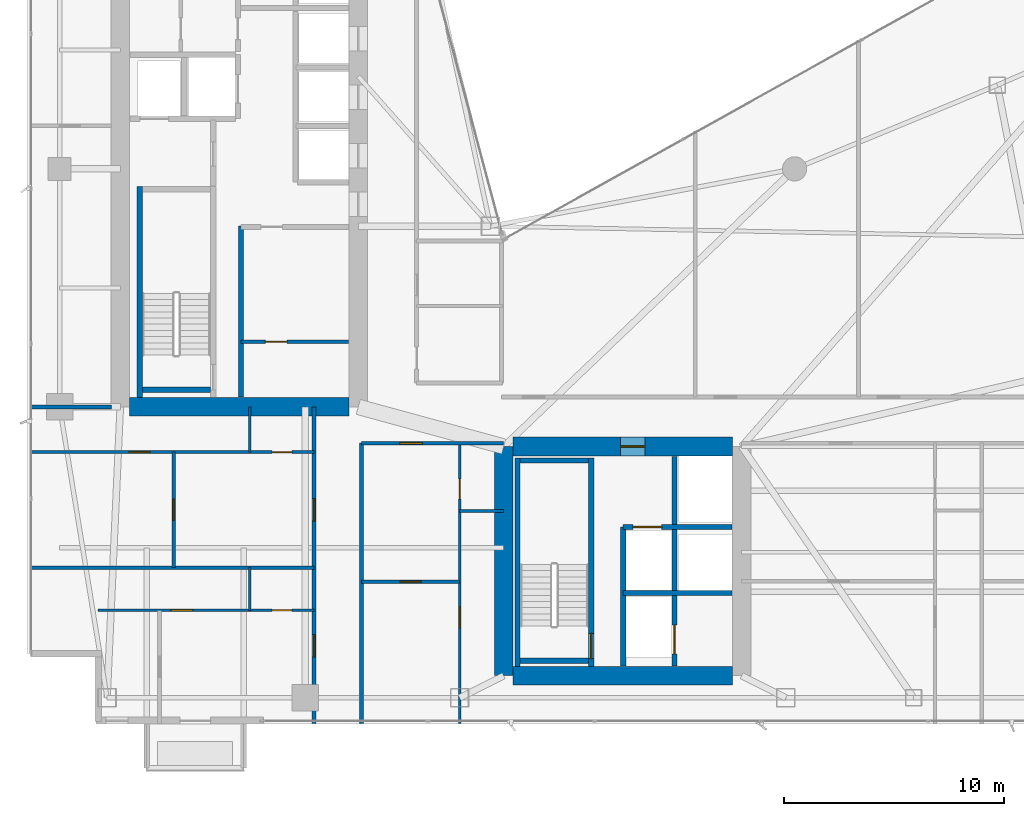
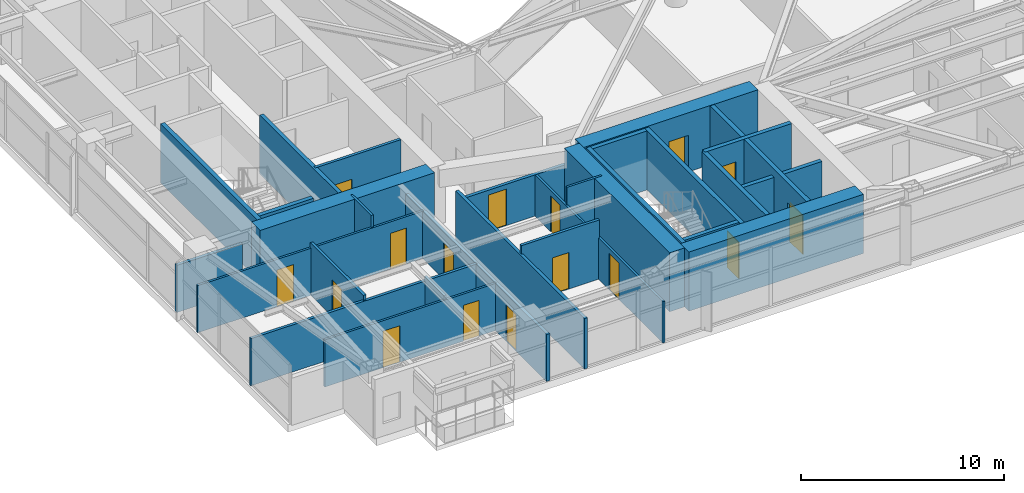
# One storey, part 22 of 28: 29 walls, 16 doors, 16 openings.
"""IFC4 building model written with IfcOpenShell, lengths in metres."""

from ifc_helpers import new_model, si_unit, direction, frame, frame_2d, origin, place, context, subcontext, project, spatial, rectangle, extrude, material, layer, layer_set, type_object, element, fill, save


model = new_model("IFC4")

# Units and contexts
model_context = context("Model", 3, precision=1e-05, world=origin(), true_north=direction((0.0, 1.0)))
body_context = subcontext(model_context, "Body", "Model", "MODEL_VIEW")
ifc_project = project(units=[si_unit("LENGTHUNIT", "METRE"), si_unit("AREAUNIT", "SQUARE_METRE"), si_unit("VOLUMEUNIT", "CUBIC_METRE"), si_unit("PLANEANGLEUNIT", "RADIAN"), si_unit("MASSUNIT", "GRAM", prefix="KILO")], contexts=[model_context])

# Site, building, storey
site_placement = place(None, origin())
site = spatial("IfcSite", under=ifc_project, at=site_placement, CompositionType="ELEMENT")
building_placement = place(site_placement, origin())
building = spatial("IfcBuilding", under=site, at=building_placement, Name="Calvorn Quay Hotel", CompositionType="ELEMENT")
storey_placement = place(building_placement, frame((0.0, 0.0, 97.39990234375)))
storey = spatial("IfcBuildingStorey", under=building, at=storey_placement, Name="L23", CompositionType="ELEMENT", Elevation=97.39990234375)

# Walls
ifc_material_1 = material(Name="Concrete C50", Category="concrete")
ifc_layer_1 = layer(ifc_material_1, 0.85009765625)
ifc_layer_set_1 = layer_set([ifc_layer_1], Name="WL-CORE-850")
wall_type_1 = type_object("IfcWallType", Name="WL-CORE-850", PredefinedType="SHEAR", material=ifc_layer_set_1)
wall_1_placement = place(storey_placement, frame((4.625, 16.800048828125, 0.0), z_axis=(0.0, 0.0, 1.0), x_axis=(1.0, 0.0, 0.0)))
element("IfcWall", 1, at=wall_1_placement, inside=storey, type_object=wall_type_1, Name="West Core Shear Wall S (L23)", PredefinedType="SHEAR", context=body_context, shape_type="SweptSolid", body=[
    extrude(rectangle(XDim=9.949951171875, YDim=0.85009765625, at=frame_2d((4.97509765625, 0.0))), origin(), (0.0, 0.0, 1.0), 3.56005859375),
])
wall_2_placement = place(storey_placement, frame((21.60009765625, 4.60009765625, 0.0), z_axis=(0.0, 0.0, 1.0), x_axis=(0.0, 1.0, 0.0)))
element("IfcWall", 2, at=wall_2_placement, inside=storey, type_object=wall_type_1, Name="East Core Shear Wall W (L23)", PredefinedType="SHEAR", context=body_context, shape_type="SweptSolid", body=[
    extrude(rectangle(XDim=10.39990234375, YDim=0.85009765625, at=frame_2d((5.199951171875, 0.0))), origin(), (0.0, 0.0, 1.0), 3.56005859375),
])

# Wall, opening, door
wall_3_placement = place(storey_placement, frame((22.02490234375, 15.0, 0.0), z_axis=(0.0, 0.0, 1.0), x_axis=(1.0, 0.0, 0.0)))
wall_3 = element("IfcWall", 3, at=wall_3_placement, inside=storey, type_object=wall_type_1, Name="East Core Shear Wall N (L23)", PredefinedType="SHEAR", context=body_context, shape_type="SweptSolid", body=[
    extrude(rectangle(XDim=9.9501953125, YDim=0.85009765625, at=frame_2d((4.97509765625, 0.0))), origin(), (0.0, 0.0, 1.0), 3.56005859375),
])
opening_1_placement = place(wall_3_placement, frame((4.8798828125, 0.0, 0.0)))
opening_1 = element("IfcOpeningElement", 4, at=opening_1_placement, cuts=wall_3, Name="Opening D-L23-FLE", PredefinedType="OPENING", context=body_context, shape_type="SweptSolid", body=[
    extrude(rectangle(XDim=1.10009765625, YDim=2.199951171875, at=frame_2d((0.550048828125, 1.10009765625))), frame((0.0, 0.43505859375, 0.0), z_axis=(0.0, -1.0, 0.0), x_axis=(1.0, 0.0, 0.0)), (0.0, 0.0, 1.0), 0.8701171875),
])
ifc_material_2 = material(Name="Smoke-Sealed Steel Class A Fire Door", Category="steel")
door_type_1 = type_object("IfcDoorType", Name="DR-FFLOBBY-1100", OperationType="NOTDEFINED", PredefinedType="DOOR", material=ifc_material_2)
door_1_placement = place(opening_1_placement, origin())
door_1 = element("IfcDoor", 5, at=door_1_placement, inside=storey, type_object=door_type_1, Name="East Firefighting Lobby Fire Door (L23)", OperationType="SINGLE_SWING_LEFT", OverallHeight=2.199951171875, OverallWidth=1.10009765625, PredefinedType="DOOR", context=body_context, shape_type="SweptSolid", body=[
    extrude(rectangle(XDim=1.10009765625, YDim=2.199951171875, at=frame_2d((0.550048828125, 1.10009765625))), frame((0.0, 0.02490234375, 0.0), z_axis=(0.0, -1.0, 0.0), x_axis=(1.0, 0.0, 0.0)), (0.0, 0.0, 1.0), 0.050048828125),
])
fill(opening_1, door_1)

# Walls
wall_4_placement = place(storey_placement, frame((22.02490234375, 4.60009765625, 0.0), z_axis=(0.0, 0.0, 1.0), x_axis=(1.0, 0.0, 0.0)))
element("IfcWall", 6, at=wall_4_placement, inside=storey, type_object=wall_type_1, Name="East Core Shear Wall S (L23)", PredefinedType="SHEAR", context=body_context, shape_type="SweptSolid", body=[
    extrude(rectangle(XDim=9.9501953125, YDim=0.85009765625, at=frame_2d((4.97509765625, 0.0))), origin(), (0.0, 0.0, 1.0), 3.56005859375),
])
ifc_material_3 = material(Name="Acoustic Fireboard Steel-Stud Partition", Category="steel")
ifc_layer_2 = layer(ifc_material_3, 0.179931640625)
ifc_layer_set_2 = layer_set([ifc_layer_2], Name="WL-CORR-FIRE-180")
wall_type_2 = type_object("IfcWallType", Name="WL-CORR-FIRE-180", PredefinedType="PARTITIONING", material=ifc_layer_set_2)
wall_5_placement = place(storey_placement, frame((0.080078125, 16.800048828125, 0.0), z_axis=(0.0, 0.0, 1.0), x_axis=(1.0, 0.0, 0.0)))
element("IfcWall", 7, at=wall_5_placement, inside=storey, type_object=wall_type_2, Name="Partition Wall L23-WL-WBAY-S-WALL", PredefinedType="PARTITIONING", context=body_context, shape_type="SweptSolid", body=[
    extrude(rectangle(XDim=3.724853515625, YDim=0.179931640625, at=frame_2d((1.8623046875, 0.0))), origin(), (0.0, 0.0, 1.0), 2.840087890625),
])

# Wall, openings, doors
wall_6_placement = place(storey_placement, frame((13.0, 2.43994140625, 0.0), z_axis=(0.0, 0.0, 1.0), x_axis=(0.0, 1.0, 0.0)))
wall_6 = element("IfcWall", 8, at=wall_6_placement, inside=storey, type_object=wall_type_2, Name="Partition Wall L23-WL-CORR-SW-LEG-W", PredefinedType="PARTITIONING", context=body_context, shape_type="SweptSolid", body=[
    extrude(rectangle(XDim=14.360107421875, YDim=0.179931640625, at=frame_2d((7.18017578125, 0.0))), origin(), (0.0, 0.0, 1.0), 2.840087890625),
])
opening_2_placement = place(wall_6_placement, frame((3.010009765625, 0.0, 0.0)))
opening_2 = element("IfcOpeningElement", 9, at=opening_2_placement, cuts=wall_6, Name="Opening D-L23-U01", PredefinedType="OPENING", context=body_context, shape_type="SweptSolid", body=[
    extrude(rectangle(XDim=1.02001953125, YDim=2.199951171875, at=frame_2d((0.510009765625, 1.10009765625))), frame((0.0, 0.099853515625, 0.0), z_axis=(0.0, -1.0, 0.0), x_axis=(1.0, 0.0, 0.0)), (0.0, 0.0, 1.0), 0.199951171875),
])
opening_3_placement = place(wall_6_placement, frame((9.179931640625, 0.0, 0.0)))
opening_3 = element("IfcOpeningElement", 10, at=opening_3_placement, cuts=wall_6, Name="Opening D-L23-U02", PredefinedType="OPENING", context=body_context, shape_type="SweptSolid", body=[
    extrude(rectangle(XDim=1.02001953125, YDim=2.199951171875, at=frame_2d((0.510009765625, 1.10009765625))), frame((0.0, 0.099853515625, 0.0), z_axis=(0.0, -1.0, 0.0), x_axis=(1.0, 0.0, 0.0)), (0.0, 0.0, 1.0), 0.199951171875),
])
ifc_material_4 = material(Name="Solid-Core Walnut Veneer Hotel Fire Door")
door_type_2 = type_object("IfcDoorType", Name="DR-GUEST-ENTRY-1020", OperationType="NOTDEFINED", PredefinedType="DOOR", material=ifc_material_4)
door_2_placement = place(opening_2_placement, origin())
door_2 = element("IfcDoor", 11, at=door_2_placement, inside=storey, type_object=door_type_2, Name="South-West Unit Door U01 (L23)", OperationType="SINGLE_SWING_LEFT", OverallHeight=2.199951171875, OverallWidth=1.02001953125, PredefinedType="DOOR", context=body_context, shape_type="SweptSolid", body=[
    extrude(rectangle(XDim=1.02001953125, YDim=2.199951171875, at=frame_2d((0.510009765625, 1.10009765625))), frame((0.0, 0.02490234375, 0.0), z_axis=(0.0, -1.0, 0.0), x_axis=(1.0, 0.0, 0.0)), (0.0, 0.0, 1.0), 0.050048828125),
])
fill(opening_2, door_2)
door_3_placement = place(opening_3_placement, origin())
door_3 = element("IfcDoor", 12, at=door_3_placement, inside=storey, type_object=door_type_2, Name="South-West Unit Door U02 (L23)", OperationType="SINGLE_SWING_RIGHT", OverallHeight=2.199951171875, OverallWidth=1.02001953125, PredefinedType="DOOR", context=body_context, shape_type="SweptSolid", body=[
    extrude(rectangle(XDim=1.02001953125, YDim=2.199951171875, at=frame_2d((0.510009765625, 1.10009765625))), frame((0.0, 0.02490234375, 0.0), z_axis=(0.0, -1.0, 0.0), x_axis=(1.0, 0.0, 0.0)), (0.0, 0.0, 1.0), 0.050048828125),
])
fill(opening_3, door_3)

# Wall
wall_7_placement = place(storey_placement, frame((15.14990234375, 2.43994140625, 0.0), z_axis=(0.0, 0.0, 1.0), x_axis=(0.0, 1.0, 0.0)))
element("IfcWall", 13, at=wall_7_placement, inside=storey, type_object=wall_type_2, Name="Partition Wall L23-WL-CORR-SW-W", PredefinedType="PARTITIONING", context=body_context, shape_type="SweptSolid", body=[
    extrude(rectangle(XDim=12.7099609375, YDim=0.179931640625, at=frame_2d((6.35498046875, 0.0))), origin(), (0.0, 0.0, 1.0), 3.0400390625),
])

# Wall, opening, door
wall_8_placement = place(storey_placement, frame((15.14990234375, 15.14990234375, 0.0), z_axis=(0.0, 0.0, 1.0), x_axis=(1.0, 0.0, 0.0)))
wall_8 = element("IfcWall", 14, at=wall_8_placement, inside=storey, type_object=wall_type_2, Name="Partition Wall L23-WL-SC-CORR-S", PredefinedType="PARTITIONING", context=body_context, shape_type="SweptSolid", body=[
    extrude(rectangle(XDim=6.4501953125, YDim=0.179931640625, at=frame_2d((3.22509765625, 0.0))), origin(), (0.0, 0.0, 1.0), 2.489990234375),
])
opening_4_placement = place(wall_8_placement, frame((1.739990234375, 0.0, 0.0)))
opening_4 = element("IfcOpeningElement", 15, at=opening_4_placement, cuts=wall_8, Name="Opening D-L23-U03", PredefinedType="OPENING", context=body_context, shape_type="SweptSolid", body=[
    extrude(rectangle(XDim=1.02001953125, YDim=2.199951171875, at=frame_2d((0.510009765625, 1.10009765625))), frame((0.0, 0.099853515625, 0.0), z_axis=(0.0, -1.0, 0.0), x_axis=(1.0, 0.0, 0.0)), (0.0, 0.0, 1.0), 0.199951171875),
])
door_4_placement = place(opening_4_placement, origin())
door_4 = element("IfcDoor", 16, at=door_4_placement, inside=storey, type_object=door_type_2, Name="Harbour Central Unit Door (L23)", OperationType="SINGLE_SWING_LEFT", OverallHeight=2.199951171875, OverallWidth=1.02001953125, PredefinedType="DOOR", context=body_context, shape_type="SweptSolid", body=[
    extrude(rectangle(XDim=1.02001953125, YDim=2.199951171875, at=frame_2d((0.510009765625, 1.10009765625))), frame((0.0, 0.02490234375, 0.0), z_axis=(0.0, -1.0, 0.0), x_axis=(1.0, 0.0, 0.0)), (0.0, 0.0, 1.0), 0.050048828125),
])
fill(opening_4, door_4)

# Wall
ifc_material_5 = material(Name="Moisture-Resistant Tile-Backed Partition")
ifc_layer_3 = layer(ifc_material_5, 0.125)
ifc_layer_set_3 = layer_set([ifc_layer_3], Name="WL-ENSUITE-125")
wall_type_3 = type_object("IfcWallType", Name="WL-ENSUITE-125", PredefinedType="PARTITIONING", material=ifc_layer_set_3)
wall_9_placement = place(storey_placement, frame((10.080078125, 7.570068359375, 0.0), z_axis=(0.0, 0.0, 1.0), x_axis=(0.0, 1.0, 0.0)))
element("IfcWall", 17, at=wall_9_placement, inside=storey, type_object=wall_type_3, Name="Partition Wall L23-WL-U01-BDV", PredefinedType="PARTITIONING", context=body_context, shape_type="SweptSolid", body=[
    extrude(rectangle(XDim=1.929931640625, YDim=0.125, at=frame_2d((0.96484375, 0.0))), origin(), (0.0, 0.0, 1.0), 3.090087890625),
])

# Wall, openings, doors
wall_10_placement = place(storey_placement, frame((3.199951171875, 7.570068359375, 0.0), z_axis=(0.0, 0.0, 1.0), x_axis=(1.0, 0.0, 0.0)))
wall_10 = element("IfcWall", 18, at=wall_10_placement, inside=storey, type_object=wall_type_3, Name="Partition Wall L23-WL-U01-BH", PredefinedType="PARTITIONING", context=body_context, shape_type="SweptSolid", body=[
    extrude(rectangle(XDim=9.800048828125, YDim=0.125, at=frame_2d((4.89990234375, 0.0))), origin(), (0.0, 0.0, 1.0), 2.840087890625),
])
opening_5_placement = place(wall_10_placement, frame((3.320068359375, 0.0, 0.0)))
opening_5 = element("IfcOpeningElement", 19, at=opening_5_placement, cuts=wall_10, Name="Opening D-L23-S01", PredefinedType="OPENING", context=body_context, shape_type="SweptSolid", body=[
    extrude(rectangle(XDim=0.9599609375, YDim=2.199951171875, at=frame_2d((0.47998046875, 1.10009765625))), frame((0.0, 0.072509765625, 0.0), z_axis=(0.0, -1.0, 0.0), x_axis=(1.0, 0.0, 0.0)), (0.0, 0.0, 1.0), 0.14501953125),
])
opening_6_placement = place(wall_10_placement, frame((7.889892578125, 0.0, 0.0)))
opening_6 = element("IfcOpeningElement", 20, at=opening_6_placement, cuts=wall_10, Name="Opening D-L23-E01", PredefinedType="OPENING", context=body_context, shape_type="SweptSolid", body=[
    extrude(rectangle(XDim=0.89990234375, YDim=2.14990234375, at=frame_2d((0.449951171875, 1.074951171875))), frame((0.0, 0.072509765625, 0.0), z_axis=(0.0, -1.0, 0.0), x_axis=(1.0, 0.0, 0.0)), (0.0, 0.0, 1.0), 0.14501953125),
])
ifc_material_6 = material(Name="Moisture-Sealed Timber En-Suite Door", Category="wood")
door_type_3 = type_object("IfcDoorType", Name="DR-ENSUITE-900", OperationType="NOTDEFINED", PredefinedType="DOOR", material=ifc_material_6)
door_5_placement = place(opening_6_placement, origin())
door_5 = element("IfcDoor", 21, at=door_5_placement, inside=storey, type_object=door_type_3, Name="En-Suite Door 01", OperationType="SINGLE_SWING_RIGHT", OverallHeight=2.14990234375, OverallWidth=0.89990234375, PredefinedType="DOOR", context=body_context, shape_type="SweptSolid", body=[
    extrude(rectangle(XDim=0.89990234375, YDim=2.14990234375, at=frame_2d((0.449951171875, 1.074951171875))), frame((0.0, 0.02490234375, 0.0), z_axis=(0.0, -1.0, 0.0), x_axis=(1.0, 0.0, 0.0)), (0.0, 0.0, 1.0), 0.050048828125),
])
fill(opening_6, door_5)
ifc_material_7 = material(Name="Solid Timber Internal Suite Door", Category="wood")
door_type_4 = type_object("IfcDoorType", Name="DR-SUITE-INT-960", OperationType="NOTDEFINED", PredefinedType="DOOR", material=ifc_material_7)
door_6_placement = place(opening_5_placement, origin())
door_6 = element("IfcDoor", 22, at=door_6_placement, inside=storey, type_object=door_type_4, Name="Children Play Nursery Door 01", OperationType="SINGLE_SWING_LEFT", OverallHeight=2.199951171875, OverallWidth=0.9599609375, PredefinedType="DOOR", context=body_context, shape_type="SweptSolid", body=[
    extrude(rectangle(XDim=0.9599609375, YDim=2.199951171875, at=frame_2d((0.47998046875, 1.10009765625))), frame((0.0, 0.02490234375, 0.0), z_axis=(0.0, -1.0, 0.0), x_axis=(1.0, 0.0, 0.0)), (0.0, 0.0, 1.0), 0.050048828125),
])
fill(opening_5, door_6)

# Wall
wall_11_placement = place(storey_placement, frame((10.080078125, 14.75, 0.0), z_axis=(0.0, 0.0, 1.0), x_axis=(0.0, 1.0, 0.0)))
element("IfcWall", 23, at=wall_11_placement, inside=storey, type_object=wall_type_3, Name="Partition Wall L23-WL-U02-BDV", PredefinedType="PARTITIONING", context=body_context, shape_type="SweptSolid", body=[
    extrude(rectangle(XDim=2.050048828125, YDim=0.125, at=frame_2d((1.02490234375, 0.0))), origin(), (0.0, 0.0, 1.0), 3.56005859375),
])

# Wall, openings, doors
wall_12_placement = place(storey_placement, frame((0.080078125, 14.75, 0.0), z_axis=(0.0, 0.0, 1.0), x_axis=(1.0, 0.0, 0.0)))
wall_12 = element("IfcWall", 24, at=wall_12_placement, inside=storey, type_object=wall_type_3, Name="Partition Wall L23-WL-U02-BH", PredefinedType="PARTITIONING", context=body_context, shape_type="SweptSolid", body=[
    extrude(rectangle(XDim=12.919921875, YDim=0.125, at=frame_2d((6.4599609375, 0.0))), origin(), (0.0, 0.0, 1.0), 2.840087890625),
])
opening_7_placement = place(wall_12_placement, frame((4.52001953125, 0.0, 0.0)))
opening_7 = element("IfcOpeningElement", 25, at=opening_7_placement, cuts=wall_12, Name="Opening D-L23-S02", PredefinedType="OPENING", context=body_context, shape_type="SweptSolid", body=[
    extrude(rectangle(XDim=0.9599609375, YDim=2.199951171875, at=frame_2d((0.47998046875, 1.10009765625))), frame((0.0, 0.072509765625, 0.0), z_axis=(0.0, -1.0, 0.0), x_axis=(1.0, 0.0, 0.0)), (0.0, 0.0, 1.0), 0.14501953125),
])
opening_8_placement = place(wall_12_placement, frame((11.010009765625, 0.0, 0.0)))
opening_8 = element("IfcOpeningElement", 26, at=opening_8_placement, cuts=wall_12, Name="Opening D-L23-E02", PredefinedType="OPENING", context=body_context, shape_type="SweptSolid", body=[
    extrude(rectangle(XDim=0.89990234375, YDim=2.14990234375, at=frame_2d((0.449951171875, 1.074951171875))), frame((0.0, 0.072509765625, 0.0), z_axis=(0.0, -1.0, 0.0), x_axis=(1.0, 0.0, 0.0)), (0.0, 0.0, 1.0), 0.14501953125),
])
door_7_placement = place(opening_8_placement, origin())
door_7 = element("IfcDoor", 27, at=door_7_placement, inside=storey, type_object=door_type_3, Name="En-Suite Door 02", OperationType="SINGLE_SWING_RIGHT", OverallHeight=2.14990234375, OverallWidth=0.89990234375, PredefinedType="DOOR", context=body_context, shape_type="SweptSolid", body=[
    extrude(rectangle(XDim=0.89990234375, YDim=2.14990234375, at=frame_2d((0.449951171875, 1.074951171875))), frame((0.0, 0.02490234375, 0.0), z_axis=(0.0, -1.0, 0.0), x_axis=(1.0, 0.0, 0.0)), (0.0, 0.0, 1.0), 0.050048828125),
])
fill(opening_8, door_7)
door_8_placement = place(opening_7_placement, origin())
door_8 = element("IfcDoor", 28, at=door_8_placement, inside=storey, type_object=door_type_4, Name="Children Play Nursery Door 02", OperationType="SINGLE_SWING_LEFT", OverallHeight=2.199951171875, OverallWidth=0.9599609375, PredefinedType="DOOR", context=body_context, shape_type="SweptSolid", body=[
    extrude(rectangle(XDim=0.9599609375, YDim=2.199951171875, at=frame_2d((0.47998046875, 1.10009765625))), frame((0.0, 0.02490234375, 0.0), z_axis=(0.0, -1.0, 0.0), x_axis=(1.0, 0.0, 0.0)), (0.0, 0.0, 1.0), 0.050048828125),
])
fill(opening_7, door_8)

# Wall
wall_13_placement = place(storey_placement, frame((19.60009765625, 12.070068359375, 0.0), z_axis=(0.0, 0.0, 1.0), x_axis=(1.0, 0.0, 0.0)))
element("IfcWall", 29, at=wall_13_placement, inside=storey, type_object=wall_type_3, Name="Partition Wall L23-WL-U03-BDV", PredefinedType="PARTITIONING", context=body_context, shape_type="SweptSolid", body=[
    extrude(rectangle(XDim=2.0, YDim=0.125, at=frame_2d((1.0, 0.0))), origin(), (0.0, 0.0, 1.0), 3.56005859375),
])

# Wall, openings, doors
wall_14_placement = place(storey_placement, frame((19.60009765625, 2.43994140625, 0.0), z_axis=(0.0, 0.0, 1.0), x_axis=(0.0, 1.0, 0.0)))
wall_14 = element("IfcWall", 30, at=wall_14_placement, inside=storey, type_object=wall_type_3, Name="Partition Wall L23-WL-U03-BV", PredefinedType="PARTITIONING", context=body_context, shape_type="SweptSolid", body=[
    extrude(rectangle(XDim=12.7099609375, YDim=0.125, at=frame_2d((6.35498046875, 0.0))), origin(), (0.0, 0.0, 1.0), 2.489990234375),
])
opening_9_placement = place(wall_14_placement, frame((4.340087890625, 0.0, 0.0)))
opening_9 = element("IfcOpeningElement", 31, at=opening_9_placement, cuts=wall_14, Name="Opening D-L23-S03", PredefinedType="OPENING", context=body_context, shape_type="SweptSolid", body=[
    extrude(rectangle(XDim=0.9599609375, YDim=2.199951171875, at=frame_2d((0.47998046875, 1.10009765625))), frame((0.0, 0.072509765625, 0.0), z_axis=(0.0, -1.0, 0.0), x_axis=(1.0, 0.0, 0.0)), (0.0, 0.0, 1.0), 0.14501953125),
])
opening_10_placement = place(wall_14_placement, frame((10.179931640625, 0.0, 0.0)))
opening_10 = element("IfcOpeningElement", 32, at=opening_10_placement, cuts=wall_14, Name="Opening D-L23-E03", PredefinedType="OPENING", context=body_context, shape_type="SweptSolid", body=[
    extrude(rectangle(XDim=0.89990234375, YDim=2.14990234375, at=frame_2d((0.449951171875, 1.074951171875))), frame((0.0, 0.072509765625, 0.0), z_axis=(0.0, -1.0, 0.0), x_axis=(1.0, 0.0, 0.0)), (0.0, 0.0, 1.0), 0.14501953125),
])
door_9_placement = place(opening_10_placement, origin())
door_9 = element("IfcDoor", 33, at=door_9_placement, inside=storey, type_object=door_type_3, Name="En-Suite Door 03", OperationType="SINGLE_SWING_RIGHT", OverallHeight=2.14990234375, OverallWidth=0.89990234375, PredefinedType="DOOR", context=body_context, shape_type="SweptSolid", body=[
    extrude(rectangle(XDim=0.89990234375, YDim=2.14990234375, at=frame_2d((0.449951171875, 1.074951171875))), frame((0.0, 0.02490234375, 0.0), z_axis=(0.0, -1.0, 0.0), x_axis=(1.0, 0.0, 0.0)), (0.0, 0.0, 1.0), 0.050048828125),
])
fill(opening_10, door_9)
door_10_placement = place(opening_9_placement, origin())
door_10 = element("IfcDoor", 34, at=door_10_placement, inside=storey, type_object=door_type_4, Name="Children Play Nursery Door 03", OperationType="SINGLE_SWING_LEFT", OverallHeight=2.199951171875, OverallWidth=0.9599609375, PredefinedType="DOOR", context=body_context, shape_type="SweptSolid", body=[
    extrude(rectangle(XDim=0.9599609375, YDim=2.199951171875, at=frame_2d((0.47998046875, 1.10009765625))), frame((0.0, 0.02490234375, 0.0), z_axis=(0.0, -1.0, 0.0), x_axis=(1.0, 0.0, 0.0)), (0.0, 0.0, 1.0), 0.050048828125),
])
fill(opening_9, door_10)

# Wall, opening, door
ifc_material_8 = material(Name="Double-Stud Acoustic Gypsum Partition")
ifc_layer_4 = layer(ifc_material_8, 0.159912109375)
ifc_layer_set_4 = layer_set([ifc_layer_4], Name="WL-INTERSUITE-160")
wall_type_4 = type_object("IfcWallType", Name="WL-INTERSUITE-160", PredefinedType="PARTITIONING", material=ifc_layer_set_4)
wall_15_placement = place(storey_placement, frame((9.679931640625, 19.75, 0.0), z_axis=(0.0, 0.0, 1.0), x_axis=(1.0, 0.0, 0.0)))
wall_15 = element("IfcWall", 35, at=wall_15_placement, inside=storey, type_object=wall_type_4, Name="Partition Wall L23-WL-CWW-FR-SPLIT", PredefinedType="PARTITIONING", context=body_context, shape_type="SweptSolid", body=[
    extrude(rectangle(XDim=4.875, YDim=0.159912109375, at=frame_2d((2.4375, 0.0))), origin(), (0.0, 0.0, 1.0), 3.56005859375),
])
opening_11_placement = place(wall_15_placement, frame((1.10009765625, 0.0, 0.0)))
opening_11 = element("IfcOpeningElement", 36, at=opening_11_placement, cuts=wall_15, Name="Opening D-L23-FRL1", PredefinedType="OPENING", context=body_context, shape_type="SweptSolid", body=[
    extrude(rectangle(XDim=0.97998046875, YDim=2.14990234375, at=frame_2d((0.489990234375, 1.074951171875))), frame((0.0, 0.08984375, 0.0), z_axis=(0.0, -1.0, 0.0), x_axis=(1.0, 0.0, 0.0)), (0.0, 0.0, 1.0), 0.179931640625),
])
ifc_material_9 = material(Name="Painted Steel Housekeeping/Riser Fire Door", Category="steel")
door_type_5 = type_object("IfcDoorType", Name="DR-SERVICE-980", OperationType="NOTDEFINED", PredefinedType="DOOR", material=ifc_material_9)
door_11_placement = place(opening_11_placement, origin())
door_11 = element("IfcDoor", 37, at=door_11_placement, inside=storey, type_object=door_type_5, Name="Linen Store Room Door (L23)", OperationType="SINGLE_SWING_LEFT", OverallHeight=2.14990234375, OverallWidth=0.97998046875, PredefinedType="DOOR", context=body_context, shape_type="SweptSolid", body=[
    extrude(rectangle(XDim=0.97998046875, YDim=2.14990234375, at=frame_2d((0.489990234375, 1.074951171875))), frame((0.0, 0.02490234375, 0.0), z_axis=(0.0, -1.0, 0.0), x_axis=(1.0, 0.0, 0.0)), (0.0, 0.0, 1.0), 0.050048828125),
])
fill(opening_11, door_11)

wall_16_placement = place(storey_placement, frame((6.6201171875, 9.5, 0.0), z_axis=(0.0, 0.0, 1.0), x_axis=(0.0, 1.0, 0.0)))
wall_16 = element("IfcWall", 38, at=wall_16_placement, inside=storey, type_object=wall_type_4, Name="Partition Wall L23-WL-U02-MSP", PredefinedType="PARTITIONING", context=body_context, shape_type="SweptSolid", body=[
    extrude(rectangle(XDim=5.25, YDim=0.159912109375, at=frame_2d((2.625, 0.0))), origin(), (0.0, 0.0, 1.0), 3.14013671875),
])
opening_12_placement = place(wall_16_placement, frame((2.14990234375, 0.0, 0.0)))
opening_12 = element("IfcOpeningElement", 39, at=opening_12_placement, cuts=wall_16, Name="Opening D-L23-M02", PredefinedType="OPENING", context=body_context, shape_type="SweptSolid", body=[
    extrude(rectangle(XDim=0.9599609375, YDim=2.199951171875, at=frame_2d((0.47998046875, 1.10009765625))), frame((0.0, 0.08984375, 0.0), z_axis=(0.0, -1.0, 0.0), x_axis=(1.0, 0.0, 0.0)), (0.0, 0.0, 1.0), 0.179931640625),
])
door_12_placement = place(opening_12_placement, origin())
door_12 = element("IfcDoor", 40, at=door_12_placement, inside=storey, type_object=door_type_4, Name="Suite Bedroom Door 02", OperationType="SINGLE_SWING_LEFT", OverallHeight=2.199951171875, OverallWidth=0.9599609375, PredefinedType="DOOR", context=body_context, shape_type="SweptSolid", body=[
    extrude(rectangle(XDim=0.9599609375, YDim=2.199951171875, at=frame_2d((0.47998046875, 1.10009765625))), frame((0.0, 0.02490234375, 0.0), z_axis=(0.0, -1.0, 0.0), x_axis=(1.0, 0.0, 0.0)), (0.0, 0.0, 1.0), 0.050048828125),
])
fill(opening_12, door_12)

# Wall
wall_17_placement = place(storey_placement, frame((0.080078125, 9.5, 0.0), z_axis=(0.0, 0.0, 1.0), x_axis=(1.0, 0.0, 0.0)))
element("IfcWall", 41, at=wall_17_placement, inside=storey, type_object=wall_type_4, Name="Partition Wall L23-WL-SW-DIV-1", PredefinedType="PARTITIONING", context=body_context, shape_type="SweptSolid", body=[
    extrude(rectangle(XDim=12.919921875, YDim=0.159912109375, at=frame_2d((6.4599609375, 0.0))), origin(), (0.0, 0.0, 1.0), 2.840087890625),
])

# Wall, opening, door
wall_18_placement = place(storey_placement, frame((15.14990234375, 8.8701171875, 0.0), z_axis=(0.0, 0.0, 1.0), x_axis=(1.0, 0.0, 0.0)))
wall_18 = element("IfcWall", 42, at=wall_18_placement, inside=storey, type_object=wall_type_4, Name="Partition Wall L23-WL-U03-MSP", PredefinedType="PARTITIONING", context=body_context, shape_type="SweptSolid", body=[
    extrude(rectangle(XDim=4.4501953125, YDim=0.159912109375, at=frame_2d((2.22509765625, 0.0))), origin(), (0.0, 0.0, 1.0), 3.56005859375),
])
opening_13_placement = place(wall_18_placement, frame((1.75, 0.0, 0.0)))
opening_13 = element("IfcOpeningElement", 43, at=opening_13_placement, cuts=wall_18, Name="Opening D-L23-M03", PredefinedType="OPENING", context=body_context, shape_type="SweptSolid", body=[
    extrude(rectangle(XDim=0.9599609375, YDim=2.199951171875, at=frame_2d((0.47998046875, 1.10009765625))), frame((0.0, 0.08984375, 0.0), z_axis=(0.0, -1.0, 0.0), x_axis=(1.0, 0.0, 0.0)), (0.0, 0.0, 1.0), 0.179931640625),
])
door_13_placement = place(opening_13_placement, origin())
door_13 = element("IfcDoor", 44, at=door_13_placement, inside=storey, type_object=door_type_4, Name="Suite Bedroom Door 03", OperationType="SINGLE_SWING_LEFT", OverallHeight=2.199951171875, OverallWidth=0.9599609375, PredefinedType="DOOR", context=body_context, shape_type="SweptSolid", body=[
    extrude(rectangle(XDim=0.9599609375, YDim=2.199951171875, at=frame_2d((0.47998046875, 1.10009765625))), frame((0.0, 0.02490234375, 0.0), z_axis=(0.0, -1.0, 0.0), x_axis=(1.0, 0.0, 0.0)), (0.0, 0.0, 1.0), 0.050048828125),
])
fill(opening_13, door_13)

# Walls
ifc_material_10 = material(Name="Autoclaved Aerated Masonry Block", Category="masonry")
ifc_layer_5 = layer(ifc_material_10, 0.219970703125)
ifc_layer_set_5 = layer_set([ifc_layer_5], Name="WL-LOBBY-FIRE-220")
wall_type_5 = type_object("IfcWallType", Name="WL-LOBBY-FIRE-220", PredefinedType="SOLIDWALL", material=ifc_layer_set_5)
wall_19_placement = place(storey_placement, frame((9.679931640625, 17.2451171875, 0.0), z_axis=(0.0, 0.0, 1.0), x_axis=(0.0, 1.0, 0.0)))
element("IfcWall", 45, at=wall_19_placement, inside=storey, type_object=wall_type_5, Name="Partition Wall L23-WL-CWW-STW-HALL-E", PredefinedType="SOLIDWALL", context=body_context, shape_type="SweptSolid", body=[
    extrude(rectangle(XDim=7.7548828125, YDim=0.219970703125, at=frame_2d((3.87744140625, 0.0))), origin(), (0.0, 0.0, 1.0), 3.56005859375),
])
ifc_material_11 = material(Name="Concrete C40", Category="concrete")
ifc_layer_6 = layer(ifc_material_11, 0.239990234375)
ifc_layer_set_6 = layer_set([ifc_layer_6], Name="WL-SHAFT-240")
wall_type_6 = type_object("IfcWallType", Name="WL-SHAFT-240", PredefinedType="SOLIDWALL", material=ifc_layer_set_6)
wall_20_placement = place(storey_placement, frame((5.080078125, 17.22509765625, 0.0), z_axis=(0.0, 0.0, 1.0), x_axis=(0.0, 1.0, 0.0)))
element("IfcWall", 46, at=wall_20_placement, inside=storey, type_object=wall_type_6, Name="Stair STW Shaft Wall W (L23)", PredefinedType="SOLIDWALL", context=body_context, shape_type="SweptSolid", body=[
    extrude(rectangle(XDim=9.56494140625, YDim=0.239990234375, at=frame_2d((4.782470703125, 0.0))), origin(), (0.0, 0.0, 1.0), 3.56005859375),
])
wall_21_placement = place(storey_placement, frame((5.199951171875, 17.580078125, 0.0), z_axis=(0.0, 0.0, 1.0), x_axis=(1.0, 0.0, 0.0)))
element("IfcWall", 47, at=wall_21_placement, inside=storey, type_object=wall_type_6, Name="Stair STW Shaft Wall S (L23)", PredefinedType="SOLIDWALL", context=body_context, shape_type="SweptSolid", body=[
    extrude(rectangle(XDim=3.10009765625, YDim=0.239990234375, at=frame_2d((1.550048828125, 0.0))), origin(), (0.0, 0.0, 1.0), 3.56005859375),
])
wall_22_placement = place(storey_placement, frame((22.22998046875, 5.02490234375, 0.0), z_axis=(0.0, 0.0, 1.0), x_axis=(0.0, 1.0, 0.0)))
element("IfcWall", 48, at=wall_22_placement, inside=storey, type_object=wall_type_6, Name="Stair STE Shaft Wall W (L23)", PredefinedType="SOLIDWALL", context=body_context, shape_type="SweptSolid", body=[
    extrude(rectangle(XDim=9.465087890625, YDim=0.239990234375, at=frame_2d((4.732421875, 0.0))), origin(), (0.0, 0.0, 1.0), 3.56005859375),
])

# Wall, opening, door
wall_23_placement = place(storey_placement, frame((25.570068359375, 5.02490234375, 0.0), z_axis=(0.0, 0.0, 1.0), x_axis=(0.0, 1.0, 0.0)))
wall_23 = element("IfcWall", 49, at=wall_23_placement, inside=storey, type_object=wall_type_6, Name="Stair STE Shaft Wall E (L23)", PredefinedType="SOLIDWALL", context=body_context, shape_type="SweptSolid", body=[
    extrude(rectangle(XDim=9.465087890625, YDim=0.239990234375, at=frame_2d((4.732421875, 0.0))), origin(), (0.0, 0.0, 1.0), 3.56005859375),
])
opening_14_placement = place(wall_23_placement, frame((0.35009765625, 0.0, 0.0)))
opening_14 = element("IfcOpeningElement", 50, at=opening_14_placement, cuts=wall_23, Name="Opening D-L23-STE", PredefinedType="OPENING", context=body_context, shape_type="SweptSolid", body=[
    extrude(rectangle(XDim=1.14990234375, YDim=2.199951171875, at=frame_2d((0.574951171875, 1.10009765625))), frame((0.0, 0.1298828125, 0.0), z_axis=(0.0, -1.0, 0.0), x_axis=(1.0, 0.0, 0.0)), (0.0, 0.0, 1.0), 0.260009765625),
])
ifc_material_12 = material(Name="Galvanised Steel Class A Fire Door", Category="steel")
door_type_6 = type_object("IfcDoorType", Name="DR-STAIR-SMOKE-1150", OperationType="NOTDEFINED", PredefinedType="DOOR", material=ifc_material_12)
door_14_placement = place(opening_14_placement, origin())
door_14 = element("IfcDoor", 51, at=door_14_placement, inside=storey, type_object=door_type_6, Name="Stair ST-E Fire Door (L23)", OperationType="SINGLE_SWING_RIGHT", OverallHeight=2.199951171875, OverallWidth=1.14990234375, PredefinedType="DOOR", context=body_context, shape_type="SweptSolid", body=[
    extrude(rectangle(XDim=1.14990234375, YDim=2.199951171875, at=frame_2d((0.574951171875, 1.10009765625))), frame((0.0, 0.02490234375, 0.0), z_axis=(0.0, -1.0, 0.0), x_axis=(1.0, 0.0, 0.0)), (0.0, 0.0, 1.0), 0.050048828125),
])
fill(opening_14, door_14)

# Walls
for number, where, z_axis, x_axis, name in (
    (52, (22.35009765625, 5.280029296875, 0.0), (0.0, 0.0, 1.0), (1.0, 0.0, 0.0), "Stair STE Shaft Wall S (L23)"),
    (53, (22.35009765625, 14.3701171875, 0.0), (0.0, 0.0, 1.0), (1.0, 0.0, 0.0), "Stair STE Shaft Wall N (L23)"),
):
    element("IfcWall", number, at=place(storey_placement, frame(where, z_axis=z_axis, x_axis=x_axis)), inside=storey, type_object=wall_type_6, Name=name, PredefinedType="SOLIDWALL", context=body_context, shape_type="SweptSolid", body=[
        extrude(rectangle(XDim=3.099853515625, YDim=0.239990234375, at=frame_2d((1.5498046875, 0.0))), origin(), (0.0, 0.0, 1.0), 3.56005859375),
    ])
wall_24_placement = place(storey_placement, frame((27.02001953125, 5.044921875, 0.0), z_axis=(0.0, 0.0, 1.0), x_axis=(0.0, 1.0, 0.0)))
element("IfcWall", 54, at=wall_24_placement, inside=storey, type_object=wall_type_6, Name="Partition Wall L23-WL-CWE-SH-W", PredefinedType="SOLIDWALL", context=body_context, shape_type="SweptSolid", body=[
    extrude(rectangle(XDim=6.30517578125, YDim=0.239990234375, at=frame_2d((3.152587890625, 0.0))), origin(), (0.0, 0.0, 1.0), 3.56005859375),
])

# Wall, opening, door
wall_25_placement = place(storey_placement, frame((27.02001953125, 11.35009765625, 0.0), z_axis=(0.0, 0.0, 1.0), x_axis=(1.0, 0.0, 0.0)))
wall_25 = element("IfcWall", 55, at=wall_25_placement, inside=storey, type_object=wall_type_6, Name="Partition Wall L23-WL-CWE-FFL-S", PredefinedType="SOLIDWALL", context=body_context, shape_type="SweptSolid", body=[
    extrude(rectangle(XDim=4.93505859375, YDim=0.239990234375, at=frame_2d((2.467529296875, 0.0))), origin(), (0.0, 0.0, 1.0), 3.56005859375),
])
opening_15_placement = place(wall_25_placement, frame((0.449951171875, 0.0, 0.0)))
opening_15 = element("IfcOpeningElement", 56, at=opening_15_placement, cuts=wall_25, Name="Opening LD-L23-FLE1", PredefinedType="OPENING", context=body_context, shape_type="SweptSolid", body=[
    extrude(rectangle(XDim=1.300048828125, YDim=2.35009765625, at=frame_2d((0.64990234375, 1.175048828125))), frame((0.0, 0.1298828125, 0.0), z_axis=(0.0, -1.0, 0.0), x_axis=(1.0, 0.0, 0.0)), (0.0, 0.0, 1.0), 0.260009765625),
])
ifc_material_13 = material(Name="Champagne-Bronze Sliding Express Lift Landing Door")
door_type_7 = type_object("IfcDoorType", Name="DR-LIFT-SHUTTLE-1300", OperationType="NOTDEFINED", PredefinedType="DOOR", material=ifc_material_13)
door_15_placement = place(opening_15_placement, origin())
door_15 = element("IfcDoor", 57, at=door_15_placement, inside=storey, type_object=door_type_7, Name="Firefighting Lift FL-E1 Landing Door (L23)", OperationType="DOUBLE_DOOR_SLIDING", OverallHeight=2.35009765625, OverallWidth=1.300048828125, PredefinedType="DOOR", context=body_context, shape_type="SweptSolid", body=[
    extrude(rectangle(XDim=1.300048828125, YDim=2.35009765625, at=frame_2d((0.64990234375, 1.175048828125))), frame((0.0, 0.02490234375, 0.0), z_axis=(0.0, -1.0, 0.0), x_axis=(1.0, 0.0, 0.0)), (0.0, 0.0, 1.0), 0.050048828125),
])
fill(opening_15, door_15)

# Wall
wall_26_placement = place(storey_placement, frame((27.02001953125, 8.35009765625, 0.0), z_axis=(0.0, 0.0, 1.0), x_axis=(1.0, 0.0, 0.0)))
element("IfcWall", 58, at=wall_26_placement, inside=storey, type_object=wall_type_6, Name="Partition Wall L23-WL-CWE-SL-N", PredefinedType="SOLIDWALL", context=body_context, shape_type="SweptSolid", body=[
    extrude(rectangle(XDim=4.93505859375, YDim=0.239990234375, at=frame_2d((2.467529296875, 0.0))), origin(), (0.0, 0.0, 1.0), 3.090087890625),
])

# Wall, opening, door
wall_27_placement = place(storey_placement, frame((29.35009765625, 5.044921875, 0.0), z_axis=(0.0, 0.0, 1.0), x_axis=(0.0, 1.0, 0.0)))
wall_27 = element("IfcWall", 59, at=wall_27_placement, inside=storey, type_object=wall_type_6, Name="Partition Wall L23-WL-CWE-OB-W", PredefinedType="SOLIDWALL", context=body_context, shape_type="SweptSolid", body=[
    extrude(rectangle(XDim=9.510009765625, YDim=0.239990234375, at=frame_2d((4.7548828125, 0.0))), origin(), (0.0, 0.0, 1.0), 3.56005859375),
])
opening_16_placement = place(wall_27_placement, frame((0.550048828125, 0.0, 0.0)))
opening_16 = element("IfcOpeningElement", 60, at=opening_16_placement, cuts=wall_27, Name="Opening LD-L23-SLEI", PredefinedType="OPENING", context=body_context, shape_type="SweptSolid", body=[
    extrude(rectangle(XDim=1.300048828125, YDim=2.35009765625, at=frame_2d((0.64990234375, 1.175048828125))), frame((0.0, 0.1298828125, 0.0), z_axis=(0.0, -1.0, 0.0), x_axis=(1.0, 0.0, 0.0)), (0.0, 0.0, 1.0), 0.260009765625),
])
door_16_placement = place(opening_16_placement, origin())
door_16 = element("IfcDoor", 61, at=door_16_placement, inside=storey, type_object=door_type_7, Name="Service Lift SL-E1 Landing Door (L23)", OperationType="DOUBLE_DOOR_SLIDING", OverallHeight=2.35009765625, OverallWidth=1.300048828125, PredefinedType="DOOR", context=body_context, shape_type="SweptSolid", body=[
    extrude(rectangle(XDim=1.300048828125, YDim=2.35009765625, at=frame_2d((0.64990234375, 1.175048828125))), frame((0.0, 0.02490234375, 0.0), z_axis=(0.0, -1.0, 0.0), x_axis=(1.0, 0.0, 0.0)), (0.0, 0.0, 1.0), 0.050048828125),
])
fill(opening_16, door_16)

save(model, "model.ifc")
